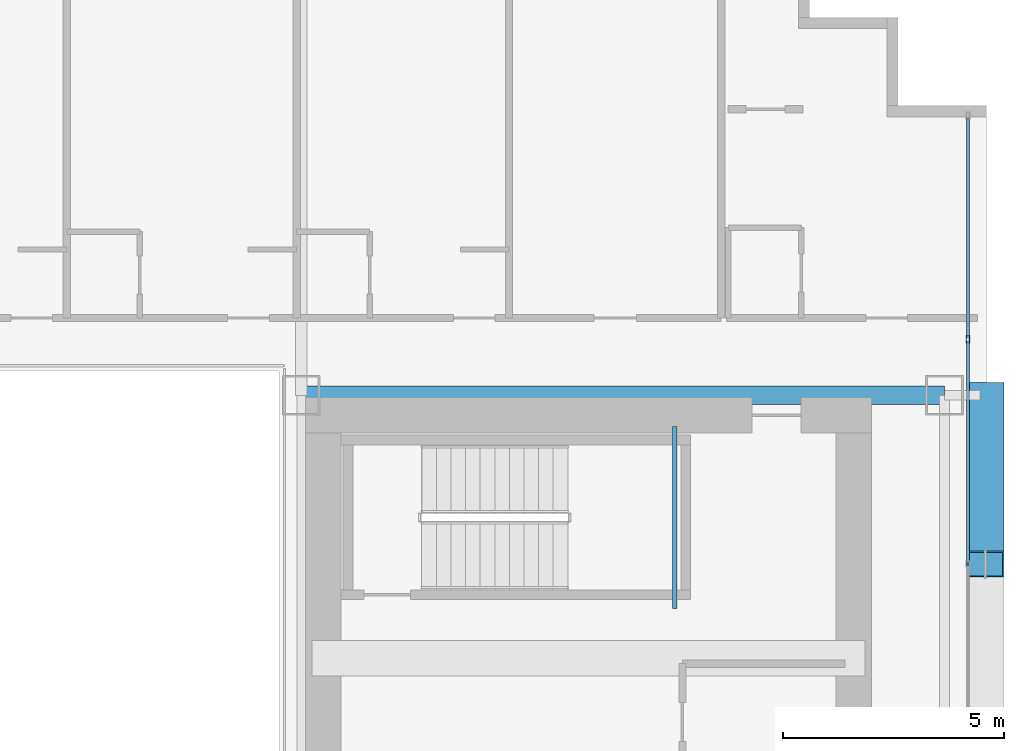
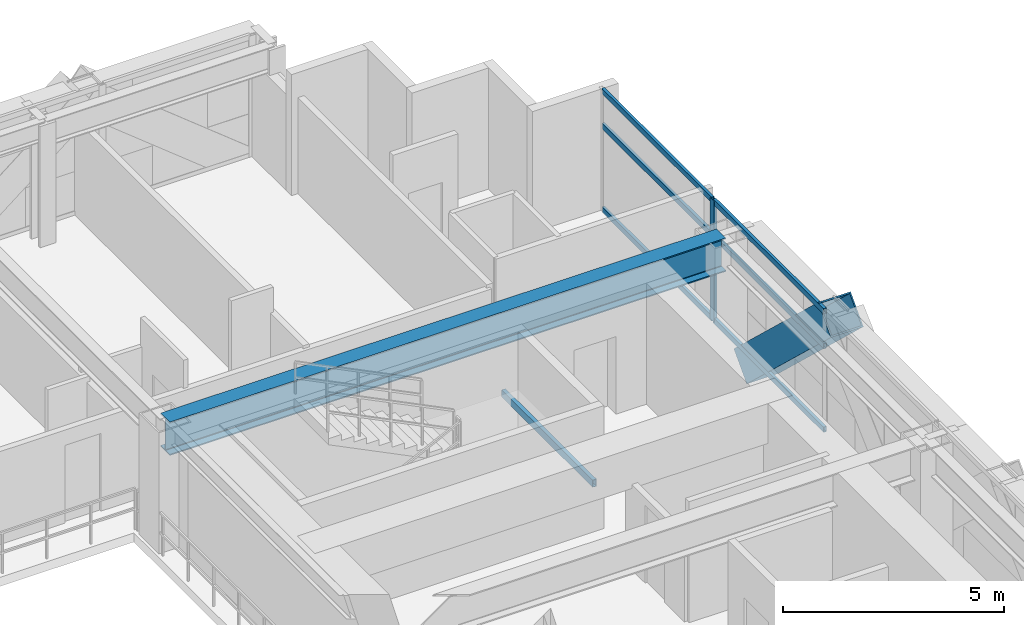
# One storey, part 20 of 35: 8 members, 2 beams, 1 element without a shape of its own.
"""IFC4 building model written with IfcOpenShell, lengths in metres."""

from ifc_helpers import new_model, si_unit, direction, frame, origin, origin_2d, place, context, subcontext, project, spatial, hollow_rectangle, i_section, extrude, source, transform, mapped, material, layer, layer_set, material_profile, profile_set, type_object, element, aggregate, save


model = new_model("IFC4")

# Units and contexts
model_context = context("Model", 3, precision=1e-05, world=origin(), true_north=direction((0.0, 1.0)))
body_context = subcontext(model_context, "Body", "Model", "MODEL_VIEW")
ifc_project = project(units=[si_unit("LENGTHUNIT", "METRE"), si_unit("AREAUNIT", "SQUARE_METRE"), si_unit("VOLUMEUNIT", "CUBIC_METRE"), si_unit("PLANEANGLEUNIT", "RADIAN"), si_unit("MASSUNIT", "GRAM", prefix="KILO")], contexts=[model_context])

# Site, building, storey
site_placement = place(None, origin())
site = spatial("IfcSite", under=ifc_project, at=site_placement, CompositionType="ELEMENT")
building_placement = place(site_placement, origin())
building = spatial("IfcBuilding", under=site, at=building_placement, Name="Ocotamira Hotel", CompositionType="ELEMENT")
storey_placement = place(building_placement, frame((0.0, 0.0, 70.800048828125)))
storey = spatial("IfcBuildingStorey", under=building, at=storey_placement, Name="L17", CompositionType="ELEMENT", Elevation=70.800048828125)

# Beams
ifc_material_1 = material(Name="Steel ASTM A500 Grade C", Category="steel")
ifc_material_profile_1 = material_profile(ifc_material_1, hollow_rectangle(XDim=0.10009765625, YDim=0.199951171875, WallThickness=0.008056640625, at=origin_2d()), Name="HSS200X100X8")
ifc_profile_set_1 = profile_set([ifc_material_profile_1], Name="Steel ASTM A500 Grade C")
beam_type_1 = type_object("IfcBeamType", Name="BM-STLDG-HSS200", PredefinedType="BEAM", material=ifc_profile_set_1)
shared_shape_1 = source(origin(), body_context, "Body", "SweptSolid", [
    extrude(hollow_rectangle(XDim=0.10009765625, YDim=0.199951171875, WallThickness=0.008056640625, at=origin_2d()), origin(), (0.0, 0.0, 1.0), 4.1201171875),
])
beam_1_placement = place(storey_placement, frame((48.949951171875, 32.6298828125, 1.5), z_axis=(0.0, 1.0, 0.0), x_axis=(-1.0, 0.0, 0.0)))
element("IfcBeam", 1, at=beam_1_placement, inside=storey, type_object=beam_type_1, Name="L17 Stair ST-4 Landing Bearer 1", PredefinedType="BEAM", context=body_context, shape_type="MappedRepresentation", body=[
    mapped(shared_shape_1, transform((0.0, 0.0, 0.0), scale=1.0)),
])
ifc_material_2 = material(Name="Steel ASTM A992 Grade 50", Category="steel")
ifc_material_profile_2 = material_profile(ifc_material_2, i_section(OverallWidth=0.41796875, OverallDepth=0.927001953125, WebThickness=0.019287109375, FlangeThickness=0.031982421875, FilletRadius=0.02392578125, at=origin_2d()), Name="W36X231")
ifc_profile_set_2 = profile_set([ifc_material_profile_2], Name="Steel ASTM A992 Grade 50")
beam_type_2 = type_object("IfcBeamType", Name="BM-GIRD-W36X231", PredefinedType="BEAM", material=ifc_profile_set_2)
shared_shape_2 = source(origin(), body_context, "Body", "SweptSolid", [
    extrude(i_section(OverallWidth=0.41796875, OverallDepth=0.927001953125, WebThickness=0.019287109375, FlangeThickness=0.031982421875, FilletRadius=0.02392578125, at=origin_2d()), origin(), (0.0, 0.0, 1.0), 14.550048828125),
])
beam_2_placement = place(storey_placement, frame((40.5, 37.449951171875, 2.886474609375), z_axis=(1.0, 0.0, 0.0), x_axis=(0.0, 1.0, 0.0)))
element("IfcBeam", 2, at=beam_2_placement, inside=storey, type_object=beam_type_2, Name="L17 Girder Y37.45 X40.5-55.05", PredefinedType="BEAM", context=body_context, shape_type="MappedRepresentation", body=[
    mapped(shared_shape_2, transform((0.0, 0.0, 0.0), scale=1.0)),
])

# Member
ifc_material_3 = material(Name="Pale-metal coated steel ASTM A913 Grade 65", Category="steel")
ifc_material_profile_3 = material_profile(ifc_material_3, hollow_rectangle(XDim=0.85009765625, YDim=0.85009765625, WallThickness=0.035888671875, at=origin_2d()), Name="BOX850X850X36")
ifc_profile_set_3 = profile_set([ifc_material_profile_3], Name="Pale-metal coated steel ASTM A913 Grade 65")
member_type_1 = type_object("IfcMemberType", Name="MEM-EXO-BOX850", PredefinedType="BRACE", material=ifc_profile_set_3)
shared_shape_3 = source(origin(), body_context, "Body", "SweptSolid", [
    extrude(hollow_rectangle(XDim=0.85009765625, YDim=0.85009765625, WallThickness=0.035888671875, at=origin_2d()), origin(), (0.0, 0.0, 1.0), 5.24658203125),
])
member_1_placement = place(storey_placement, frame((55.969970703125, 37.449951171875, -0.5), z_axis=(0.0, -0.72746596067, 0.686143772154), x_axis=(1.0, 0.0, 0.0)))
element("IfcMember", 3, at=member_1_placement, inside=storey, type_object=member_type_1, Name="L17 Exoskeleton Diagrid E2.2", PredefinedType="BRACE", context=body_context, shape_type="MappedRepresentation", body=[
    mapped(shared_shape_3, transform((0.0, 0.0, 0.0), scale=1.0)),
])

# Curtain wall, members
ifc_material_4 = material(Name="Anodised pale-metal aluminium and solar glass", Category="aluminium")
ifc_layer = layer(ifc_material_4, 0.179931640625)
ifc_layer_set = layer_set([ifc_layer], Name="Anodised pale-metal aluminium and solar glass")
curtain_wall_type = type_object("IfcCurtainWallType", Name="CW-SYS2-Z1", PredefinedType="NOTDEFINED", material=ifc_layer_set)
curtain_wall_placement = place(storey_placement, origin())
curtain_wall = element("IfcCurtainWall", 4, at=curtain_wall_placement, inside=storey, type_object=curtain_wall_type, Name="L17 Curtain Wall CW-2 CW-L17-E", PredefinedType="NOTDEFINED")
ifc_material_5 = material(Name="Anodised pale-metal aluminium 6063-T6", Category="aluminium")
ifc_material_profile_4 = material_profile(ifc_material_5, hollow_rectangle(XDim=0.080078125, YDim=0.179931640625, WallThickness=0.006103515625, at=origin_2d()), Name="HSS180X80X6")
ifc_profile_set_4 = profile_set([ifc_material_profile_4], Name="Anodised pale-metal aluminium 6063-T6")
member_type_2 = type_object("IfcMemberType", Name="CWM-180X75", PredefinedType="MULLION", material=ifc_profile_set_4)
shared_shape_4 = source(origin(), body_context, "Body", "SweptSolid", [
    extrude(hollow_rectangle(XDim=0.080078125, YDim=0.179931640625, WallThickness=0.006103515625, at=origin_2d()), origin(), (0.0, 0.0, 1.0), 3.349853515625),
])
member_2_placement = place(storey_placement, frame((55.580078125, 38.71435546875, 0.0), z_axis=(0.0, 0.0, 1.0), x_axis=(-1.0, 0.0, 0.0)))
member_2 = element("IfcMember", 5, at=member_2_placement, type_object=member_type_2, Name="CW-2 mullion 7", PredefinedType="MULLION", context=body_context, shape_type="MappedRepresentation", body=[
    mapped(shared_shape_4, transform((0.0, 0.0, 0.0), scale=1.0)),
])
ifc_material_profile_5 = material_profile(ifc_material_5, hollow_rectangle(XDim=0.074951171875, YDim=0.14990234375, WallThickness=0.006103515625, at=origin_2d()), Name="HSS150X75X6")
ifc_profile_set_5 = profile_set([ifc_material_profile_5], Name="Anodised pale-metal aluminium 6063-T6")
member_type_3 = type_object("IfcMemberType", Name="CWT-150X75", PredefinedType="USERDEFINED", material=ifc_profile_set_5)
shared_shape_5 = source(origin(), body_context, "Body", "SweptSolid", [
    extrude(hollow_rectangle(XDim=0.074951171875, YDim=0.14990234375, WallThickness=0.006103515625, at=origin_2d()), origin(), (0.0, 0.0, 1.0), 4.965576171875),
])
member_3_placement = place(storey_placement, frame((55.580078125, 38.75439453125, 0.037353515625), z_axis=(0.0, 1.0, 0.0), x_axis=(-1.0, 0.0, 0.0)))
member_3 = element("IfcMember", 6, at=member_3_placement, type_object=member_type_3, Name="CW-2 transom 7.1", ObjectType="TRANSOM", PredefinedType="USERDEFINED", context=body_context, shape_type="MappedRepresentation", body=[
    mapped(shared_shape_5, transform((0.0, 0.0, 0.0), scale=1.0)),
])
member_4_placement = place(storey_placement, frame((55.580078125, 38.75439453125, 2.349853515625), z_axis=(0.0, 1.0, 0.0), x_axis=(-1.0, 0.0, 0.0)))
member_4 = element("IfcMember", 7, at=member_4_placement, type_object=member_type_3, Name="CW-2 transom 7.2", ObjectType="TRANSOM", PredefinedType="USERDEFINED", context=body_context, shape_type="MappedRepresentation", body=[
    mapped(shared_shape_5, transform((0.0, 0.0, 0.0), scale=1.0)),
])
member_5_placement = place(storey_placement, frame((55.580078125, 38.75439453125, 3.3125), z_axis=(0.0, 1.0, 0.0), x_axis=(-1.0, 0.0, 0.0)))
member_5 = element("IfcMember", 8, at=member_5_placement, type_object=member_type_3, Name="CW-2 transom 7.3", ObjectType="TRANSOM", PredefinedType="USERDEFINED", context=body_context, shape_type="MappedRepresentation", body=[
    mapped(shared_shape_5, transform((0.0, 0.0, 0.0), scale=1.0)),
])
shared_shape_6 = source(origin(), body_context, "Body", "SweptSolid", [
    extrude(hollow_rectangle(XDim=0.074951171875, YDim=0.14990234375, WallThickness=0.006103515625, at=origin_2d()), origin(), (0.0, 0.0, 1.0), 5.005859375),
])
member_6_placement = place(storey_placement, frame((55.580078125, 33.66845703125, 0.037353515625), z_axis=(0.0, 1.0, 0.0), x_axis=(-1.0, 0.0, 0.0)))
member_6 = element("IfcMember", 9, at=member_6_placement, type_object=member_type_3, Name="CW-2 transom 6.1", ObjectType="TRANSOM", PredefinedType="USERDEFINED", context=body_context, shape_type="MappedRepresentation", body=[
    mapped(shared_shape_6, transform((0.0, 0.0, 0.0), scale=1.0)),
])
member_7_placement = place(storey_placement, frame((55.580078125, 33.66845703125, 2.349853515625), z_axis=(0.0, 1.0, 0.0), x_axis=(-1.0, 0.0, 0.0)))
member_7 = element("IfcMember", 10, at=member_7_placement, type_object=member_type_3, Name="CW-2 transom 6.2", ObjectType="TRANSOM", PredefinedType="USERDEFINED", context=body_context, shape_type="MappedRepresentation", body=[
    mapped(shared_shape_6, transform((0.0, 0.0, 0.0), scale=1.0)),
])
member_8_placement = place(storey_placement, frame((55.580078125, 33.66845703125, 3.3125), z_axis=(0.0, 1.0, 0.0), x_axis=(-1.0, 0.0, 0.0)))
member_8 = element("IfcMember", 11, at=member_8_placement, type_object=member_type_3, Name="CW-2 transom 6.3", ObjectType="TRANSOM", PredefinedType="USERDEFINED", context=body_context, shape_type="MappedRepresentation", body=[
    mapped(shared_shape_6, transform((0.0, 0.0, 0.0), scale=1.0)),
])
aggregate(curtain_wall, [member_2, member_6, member_7, member_8, member_3, member_4, member_5])

save(model, "model.ifc")
